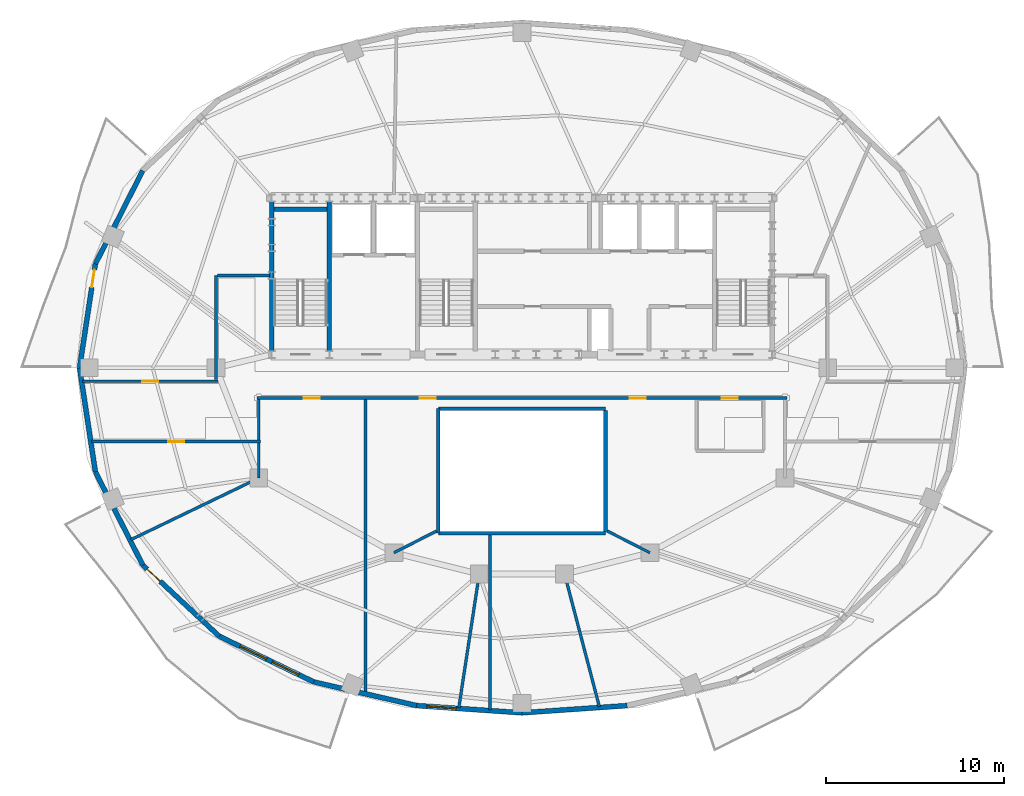
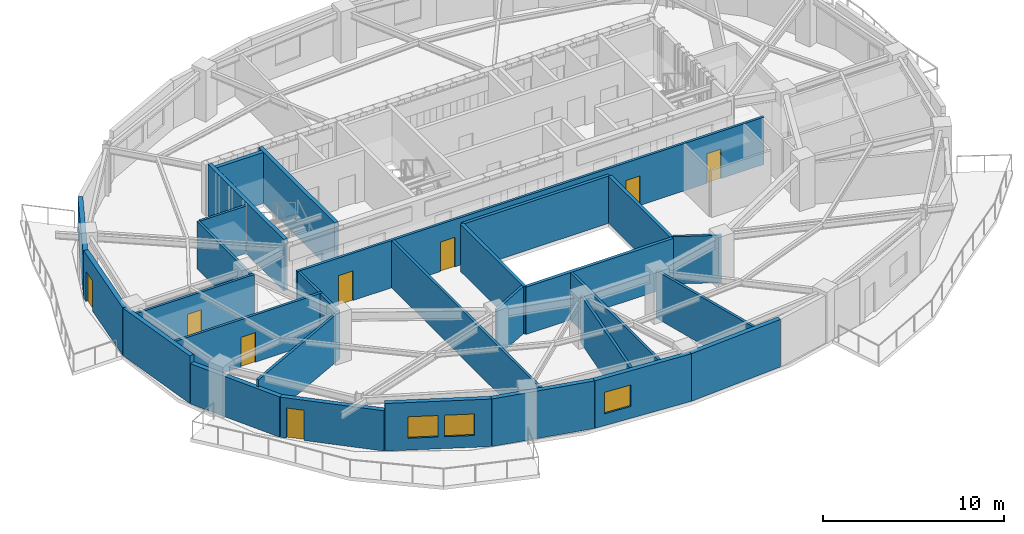
# One storey, part 3 of 9: 30 walls, 8 doors, 3 windows, 11 openings.
"""IFC4 building model written with IfcOpenShell, lengths in metres."""

from ifc_helpers import new_model, si_unit, direction, frame, frame_2d, origin, place, context, subcontext, project, spatial, rectangle, extrude, material, layer, layer_set, type_object, element, fill, save


model = new_model("IFC4")

# Units and contexts
model_context = context("Model", 3, precision=1e-05, world=origin(), true_north=direction((0.0, 1.0)))
body_context = subcontext(model_context, "Body", "Model", "MODEL_VIEW")
ifc_project = project(units=[si_unit("LENGTHUNIT", "METRE"), si_unit("AREAUNIT", "SQUARE_METRE"), si_unit("VOLUMEUNIT", "CUBIC_METRE"), si_unit("PLANEANGLEUNIT", "RADIAN"), si_unit("MASSUNIT", "GRAM", prefix="KILO")], contexts=[model_context])

# Site, building, storey
site_placement = place(None, origin())
site = spatial("IfcSite", under=ifc_project, at=site_placement, CompositionType="ELEMENT")
building_placement = place(site_placement, origin())
building = spatial("IfcBuilding", under=site, at=building_placement, Name="Haldorwick Loom Tower", CompositionType="ELEMENT")
storey_placement = place(building_placement, frame((0.0, 0.0, 252.300048828125)))
storey = spatial("IfcBuildingStorey", under=building, at=storey_placement, Name="L68", CompositionType="ELEMENT", Elevation=252.300048828125)

# Wall
ifc_material_1 = material(Name="Pressed Clay Face Brick and Insulated Masonry Backup Assembly", Category="masonry")
ifc_layer_1 = layer(ifc_material_1, 0.280029296875, Name="Pressed Clay Face Brick and Insulated Masonry Backup Assembly", Category="masonry")
ifc_layer_set_1 = layer_set([ifc_layer_1], Name="Pressed Clay Face Brick and Insulated Masonry Backup Assembly")
wall_type_1 = type_object("IfcWallType", Name="ARC-WL-EXT280", PredefinedType="STANDARD", material=ifc_layer_set_1)
wall_1_placement = place(storey_placement, frame((14.677490234375, 37.08984375, 0.0), z_axis=(0.0, 0.0, 1.0), x_axis=(-0.453100705059, -0.89145933787, 0.0)))
element("IfcWall", 1, at=wall_1_placement, inside=storey, type_object=wall_type_1, Name="L68 Brick Pier and Spandrel Wall 11", PredefinedType="STANDARD", context=body_context, shape_type="SweptSolid", body=[
    extrude(rectangle(XDim=5.879150390625, YDim=0.280029296875, at=frame_2d((2.939453125, 0.0))), origin(), (0.0, 0.0, 1.0), 2.718994140625),
])

# Wall, opening, door
wall_2_placement = place(storey_placement, frame((12.013671875, 31.848876953125, 0.0), z_axis=(0.0, 0.0, 1.0), x_axis=(-0.150497234153, -0.988610430105, 0.0)))
wall_2 = element("IfcWall", 2, at=wall_2_placement, inside=storey, type_object=wall_type_1, Name="L68 Brick Pier and Spandrel Wall 12", PredefinedType="STANDARD", context=body_context, shape_type="SweptSolid", body=[
    extrude(rectangle(XDim=5.916259765625, YDim=0.280029296875, at=frame_2d((2.9580078125, 0.0))), origin(), (0.0, 0.0, 1.0), 3.2099609375),
])
opening_1_placement = place(wall_2_placement, frame((0.340087890625, 0.0, 0.0)))
opening_1 = element("IfcOpeningElement", 3, at=opening_1_placement, cuts=wall_2, Name="Opening D-BL10", PredefinedType="OPENING", context=body_context, shape_type="SweptSolid", body=[
    extrude(rectangle(XDim=1.0, YDim=2.0400390625, at=frame_2d((0.5, 1.02001953125))), frame((0.0, 0.14990234375, 0.0), z_axis=(0.0, -1.0, 0.0), x_axis=(1.0, 0.0, 0.0)), (0.0, 0.0, 1.0), 0.300048828125),
])
ifc_material_2 = material(Name="Thermally Broken Anodized Aluminium Curtain Wall Framing", Category="aluminium")
door_type_1 = type_object("IfcDoorType", Name="ARC-DR-BAL100", OperationType="NOTDEFINED", PredefinedType="DOOR", material=ifc_material_2)
door_1_placement = place(opening_1_placement, origin())
door_1 = element("IfcDoor", 4, at=door_1_placement, inside=storey, type_object=door_type_1, Name="L68 Outdoor Terrace Door SLB-L68-BAL_WNW", OperationType="SINGLE_SWING_RIGHT", OverallHeight=2.0400390625, OverallWidth=1.0, PredefinedType="DOOR", context=body_context, shape_type="SweptSolid", body=[
    extrude(rectangle(XDim=1.0, YDim=2.0400390625, at=frame_2d((0.5, 1.02001953125))), frame((0.0, 0.02490234375, 0.0), z_axis=(0.0, -1.0, 0.0), x_axis=(1.0, 0.0, 0.0)), (0.0, 0.0, 1.0), 0.050048828125),
])
fill(opening_1, door_1)

# Walls
wall_3_placement = place(storey_placement, frame((11.123291015625, 26.0, 0.0), z_axis=(0.0, 0.0, 1.0), x_axis=(0.150497234153, -0.988610430105, 0.0)))
element("IfcWall", 5, at=wall_3_placement, inside=storey, type_object=wall_type_1, Name="L68 Brick Pier and Spandrel Wall 13", PredefinedType="STANDARD", context=body_context, shape_type="SweptSolid", body=[
    extrude(rectangle(XDim=5.916259765625, YDim=0.280029296875, at=frame_2d((2.9580078125, 0.0))), origin(), (0.0, 0.0, 1.0), 3.2099609375),
])
wall_4_placement = place(storey_placement, frame((12.013671875, 20.151123046875, 0.0), z_axis=(0.0, 0.0, 1.0), x_axis=(0.453100705059, -0.89145933787, 0.0)))
element("IfcWall", 6, at=wall_4_placement, inside=storey, type_object=wall_type_1, Name="L68 Brick Pier and Spandrel Wall 14", PredefinedType="STANDARD", context=body_context, shape_type="SweptSolid", body=[
    extrude(rectangle(XDim=5.879150390625, YDim=0.280029296875, at=frame_2d((2.939453125, 0.0))), origin(), (0.0, 0.0, 1.0), 2.718994140625),
])

# Wall, opening, door
wall_5_placement = place(storey_placement, frame((14.677490234375, 14.91015625, 0.0), z_axis=(0.0, 0.0, 1.0), x_axis=(0.731924682982, -0.68138554317, 0.0)))
wall_5 = element("IfcWall", 7, at=wall_5_placement, inside=storey, type_object=wall_type_1, Name="L68 Brick Pier and Spandrel Wall 15", PredefinedType="STANDARD", context=body_context, shape_type="SweptSolid", body=[
    extrude(rectangle(XDim=5.87890625, YDim=0.280029296875, at=frame_2d((2.939453125, 0.0))), origin(), (0.0, 0.0, 1.0), 2.718994140625),
])
opening_2_placement = place(wall_5_placement, frame((0.340087890625, 0.0, 0.0)))
opening_2 = element("IfcOpeningElement", 8, at=opening_2_placement, cuts=wall_5, Name="Opening D-BL10", PredefinedType="OPENING", context=body_context, shape_type="SweptSolid", body=[
    extrude(rectangle(XDim=1.0, YDim=2.0400390625, at=frame_2d((0.5, 1.02001953125))), frame((0.0, 0.14990234375, 0.0), z_axis=(0.0, -1.0, 0.0), x_axis=(1.0, 0.0, 0.0)), (0.0, 0.0, 1.0), 0.300048828125),
])
door_2_placement = place(opening_2_placement, origin())
door_2 = element("IfcDoor", 9, at=door_2_placement, inside=storey, type_object=door_type_1, Name="L68 Outdoor Terrace Door SLB-L68-BAL_SW", OperationType="SINGLE_SWING_LEFT", OverallHeight=2.0400390625, OverallWidth=1.0, PredefinedType="DOOR", context=body_context, shape_type="SweptSolid", body=[
    extrude(rectangle(XDim=1.0, YDim=2.0400390625, at=frame_2d((0.5, 1.02001953125))), frame((0.0, 0.02490234375, 0.0), z_axis=(0.0, -1.0, 0.0), x_axis=(1.0, 0.0, 0.0)), (0.0, 0.0, 1.0), 0.050048828125),
])
fill(opening_2, door_2)

# Wall, openings, windows
wall_6_placement = place(storey_placement, frame((18.98046875, 10.904296875, 0.0), z_axis=(0.0, 0.0, 1.0), x_axis=(0.900481907967, -0.434893473651, 0.0)))
wall_6 = element("IfcWall", 10, at=wall_6_placement, inside=storey, type_object=wall_type_1, Name="L68 Brick Pier and Spandrel Wall 16", PredefinedType="STANDARD", context=body_context, shape_type="SweptSolid", body=[
    extrude(rectangle(XDim=5.90966796875, YDim=0.280029296875, at=frame_2d((2.954833984375, 0.0))), origin(), (0.0, 0.0, 1.0), 3.2099609375),
])
opening_3_placement = place(wall_6_placement, frame((1.29443359375, 0.0, 0.800048828125)))
opening_3 = element("IfcOpeningElement", 11, at=opening_3_placement, cuts=wall_6, Name="Opening W-01B", PredefinedType="OPENING", context=body_context, shape_type="SweptSolid", body=[
    extrude(rectangle(XDim=1.64990234375, YDim=1.449951171875, at=frame_2d((0.824951171875, 0.72509765625))), frame((0.0, 0.14990234375, 0.0), z_axis=(0.0, -1.0, 0.0), x_axis=(1.0, 0.0, 0.0)), (0.0, 0.0, 1.0), 0.300048828125),
])
opening_4_placement = place(wall_6_placement, frame((3.311767578125, 0.0, 0.800048828125)))
opening_4 = element("IfcOpeningElement", 12, at=opening_4_placement, cuts=wall_6, Name="Opening W-01B", PredefinedType="OPENING", context=body_context, shape_type="SweptSolid", body=[
    extrude(rectangle(XDim=1.64990234375, YDim=1.449951171875, at=frame_2d((0.824951171875, 0.72509765625))), frame((0.0, 0.14990234375, 0.0), z_axis=(0.0, -1.0, 0.0), x_axis=(1.0, 0.0, 0.0)), (0.0, 0.0, 1.0), 0.300048828125),
])
ifc_material_3 = material(Name="Triple-Glazed Low-E Argon Insulated Glazing Unit", Category="glass")
window_type = type_object("IfcWindowType", Name="ARC-WIN-W165", PartitioningType="SINGLE_PANEL", PredefinedType="WINDOW", material=ifc_material_3)
window_1_placement = place(opening_3_placement, origin())
window_1 = element("IfcWindow", 13, at=window_1_placement, inside=storey, type_object=window_type, Name="L68 Deep-Set Zone 7A Window 16", OverallHeight=1.449951171875, OverallWidth=1.64990234375, PartitioningType="SINGLE_PANEL", PredefinedType="WINDOW", context=body_context, shape_type="SweptSolid", body=[
    extrude(rectangle(XDim=1.64990234375, YDim=1.449951171875, at=frame_2d((0.824951171875, 0.72509765625))), frame((0.0, 0.030029296875, 0.0), z_axis=(0.0, -1.0, 0.0), x_axis=(1.0, 0.0, 0.0)), (0.0, 0.0, 1.0), 0.06005859375),
])
fill(opening_3, window_1)
window_2_placement = place(opening_4_placement, origin())
window_2 = element("IfcWindow", 14, at=window_2_placement, inside=storey, type_object=window_type, Name="L68 Deep-Set Zone 7A Window 16", OverallHeight=1.449951171875, OverallWidth=1.64990234375, PartitioningType="SINGLE_PANEL", PredefinedType="WINDOW", context=body_context, shape_type="SweptSolid", body=[
    extrude(rectangle(XDim=1.64990234375, YDim=1.449951171875, at=frame_2d((0.824951171875, 0.72509765625))), frame((0.0, 0.030029296875, 0.0), z_axis=(0.0, -1.0, 0.0), x_axis=(1.0, 0.0, 0.0)), (0.0, 0.0, 1.0), 0.06005859375),
])
fill(opening_4, window_2)

# Wall
wall_7_placement = place(storey_placement, frame((24.302001953125, 8.334228515625, 0.0), z_axis=(0.0, 0.0, 1.0), x_axis=(0.974589984037, -0.223996345987, 0.0)))
element("IfcWall", 15, at=wall_7_placement, inside=storey, type_object=wall_type_1, Name="L68 Brick Pier and Spandrel Wall 17", PredefinedType="STANDARD", context=body_context, shape_type="SweptSolid", body=[
    extrude(rectangle(XDim=5.92919921875, YDim=0.280029296875, at=frame_2d((2.964599609375, 0.0))), origin(), (0.0, 0.0, 1.0), 3.2099609375),
])

# Wall, opening, window
wall_8_placement = place(storey_placement, frame((30.08056640625, 7.006103515625, 0.0), z_axis=(0.0, 0.0, 1.0), x_axis=(0.997656066566, -0.068427865986, 0.0)))
wall_8 = element("IfcWall", 16, at=wall_8_placement, inside=storey, type_object=wall_type_1, Name="L68 Brick Pier and Spandrel Wall 18", PredefinedType="STANDARD", context=body_context, shape_type="SweptSolid", body=[
    extrude(rectangle(XDim=5.933349609375, YDim=0.280029296875, at=frame_2d((2.966796875, 0.0))), origin(), (0.0, 0.0, 1.0), 3.2099609375),
])
opening_5_placement = place(wall_8_placement, frame((0.580078125, 0.0, 0.800048828125)))
opening_5 = element("IfcOpeningElement", 17, at=opening_5_placement, cuts=wall_8, Name="Opening W-01B", PredefinedType="OPENING", context=body_context, shape_type="SweptSolid", body=[
    extrude(rectangle(XDim=1.64990234375, YDim=1.449951171875, at=frame_2d((0.824951171875, 0.72509765625))), frame((0.0, 0.14990234375, 0.0), z_axis=(0.0, -1.0, 0.0), x_axis=(1.0, 0.0, 0.0)), (0.0, 0.0, 1.0), 0.300048828125),
])
window_3_placement = place(opening_5_placement, origin())
window_3 = element("IfcWindow", 18, at=window_3_placement, inside=storey, type_object=window_type, Name="L68 Deep-Set Zone 7A Window 18", OverallHeight=1.449951171875, OverallWidth=1.64990234375, PartitioningType="SINGLE_PANEL", PredefinedType="WINDOW", context=body_context, shape_type="SweptSolid", body=[
    extrude(rectangle(XDim=1.64990234375, YDim=1.449951171875, at=frame_2d((0.824951171875, 0.72509765625))), frame((0.0, 0.030029296875, 0.0), z_axis=(0.0, -1.0, 0.0), x_axis=(1.0, 0.0, 0.0)), (0.0, 0.0, 1.0), 0.06005859375),
])
fill(opening_5, window_3)

# Wall
wall_9_placement = place(storey_placement, frame((36.0, 6.60009765625, 0.0), z_axis=(0.0, 0.0, 1.0), x_axis=(0.997656066566, 0.068427865986, 0.0)))
element("IfcWall", 19, at=wall_9_placement, inside=storey, type_object=wall_type_1, Name="L68 Brick Pier and Spandrel Wall 19", PredefinedType="STANDARD", context=body_context, shape_type="SweptSolid", body=[
    extrude(rectangle(XDim=5.933349609375, YDim=0.280029296875, at=frame_2d((2.966796875, 0.0))), origin(), (0.0, 0.0, 1.0), 3.2099609375),
])

# Wall, openings, doors
ifc_material_4 = material(Name="Fire-Rated Type X Gypsum Stud Assembly EI 60")
ifc_layer_2 = layer(ifc_material_4, 0.159912109375, Name="Fire-Rated Type X Gypsum Stud Assembly EI 60")
ifc_layer_set_2 = layer_set([ifc_layer_2], Name="Fire-Rated Type X Gypsum Stud Assembly EI 60")
wall_type_2 = type_object("IfcWallType", Name="ARC-WL-FIRE160", PredefinedType="PARTITIONING", material=ifc_layer_set_2)
wall_10_placement = place(storey_placement, frame((21.10009765625, 24.300048828125, 0.0), z_axis=(0.0, 0.0, 1.0), x_axis=(1.0, 0.0, 0.0)))
wall_10 = element("IfcWall", 20, at=wall_10_placement, inside=storey, type_object=wall_type_2, Name="L68 Residential Fire Partition L68-CR-SP", PredefinedType="PARTITIONING", context=body_context, shape_type="SweptSolid", body=[
    extrude(rectangle(XDim=29.7998046875, YDim=0.159912109375, at=frame_2d((14.89990234375, 0.0))), origin(), (0.0, 0.0, 1.0), 3.195068359375),
])
opening_6_placement = place(wall_10_placement, frame((20.9619140625, 0.0, 0.0)))
opening_6 = element("IfcOpeningElement", 21, at=opening_6_placement, cuts=wall_10, Name="Opening D-FD60A", PredefinedType="OPENING", context=body_context, shape_type="SweptSolid", body=[
    extrude(rectangle(XDim=0.89990234375, YDim=2.0, at=frame_2d((0.449951171875, 1.0))), frame((0.0, 0.08984375, 0.0), z_axis=(0.0, -1.0, 0.0), x_axis=(1.0, 0.0, 0.0)), (0.0, 0.0, 1.0), 0.179931640625),
])
opening_7_placement = place(wall_10_placement, frame((9.152099609375, 0.0, 0.0)))
opening_7 = element("IfcOpeningElement", 22, at=opening_7_placement, cuts=wall_10, Name="Opening D-FD60A", PredefinedType="OPENING", context=body_context, shape_type="SweptSolid", body=[
    extrude(rectangle(XDim=0.89990234375, YDim=2.0, at=frame_2d((0.449951171875, 1.0))), frame((0.0, 0.08984375, 0.0), z_axis=(0.0, -1.0, 0.0), x_axis=(1.0, 0.0, 0.0)), (0.0, 0.0, 1.0), 0.179931640625),
])
opening_8_placement = place(wall_10_placement, frame((2.640380859375, 0.0, 0.0)))
opening_8 = element("IfcOpeningElement", 23, at=opening_8_placement, cuts=wall_10, Name="Opening D-FD60A", PredefinedType="OPENING", context=body_context, shape_type="SweptSolid", body=[
    extrude(rectangle(XDim=0.89990234375, YDim=2.0, at=frame_2d((0.449951171875, 1.0))), frame((0.0, 0.08984375, 0.0), z_axis=(0.0, -1.0, 0.0), x_axis=(1.0, 0.0, 0.0)), (0.0, 0.0, 1.0), 0.179931640625),
])
opening_9_placement = place(wall_10_placement, frame((26.1494140625, 0.0, 0.0)))
opening_9 = element("IfcOpeningElement", 24, at=opening_9_placement, cuts=wall_10, Name="Opening D-FD60A", PredefinedType="OPENING", context=body_context, shape_type="SweptSolid", body=[
    extrude(rectangle(XDim=0.89990234375, YDim=2.0, at=frame_2d((0.449951171875, 1.0))), frame((0.0, 0.08984375, 0.0), z_axis=(0.0, -1.0, 0.0), x_axis=(1.0, 0.0, 0.0)), (0.0, 0.0, 1.0), 0.179931640625),
])
ifc_material_5 = material(Name="Hollow Steel Fire Door Assembly", Category="steel")
door_type_2 = type_object("IfcDoorType", Name="ARC-DR-FD60-90", OperationType="NOTDEFINED", PredefinedType="DOOR", material=ifc_material_5)
door_3_placement = place(opening_6_placement, origin())
door_3 = element("IfcDoor", 25, at=door_3_placement, inside=storey, type_object=door_type_2, Name="L68 L68 Central Residential Corridor to Tenant Seminar Meeting Room 1 Do", OperationType="SINGLE_SWING_RIGHT", OverallHeight=2.0, OverallWidth=0.89990234375, PredefinedType="DOOR", context=body_context, shape_type="SweptSolid", body=[
    extrude(rectangle(XDim=0.89990234375, YDim=2.0, at=frame_2d((0.449951171875, 1.0))), frame((0.0, 0.02490234375, 0.0), z_axis=(0.0, -1.0, 0.0), x_axis=(1.0, 0.0, 0.0)), (0.0, 0.0, 1.0), 0.050048828125),
])
fill(opening_6, door_3)
door_4_placement = place(opening_7_placement, origin())
door_4 = element("IfcDoor", 26, at=door_4_placement, inside=storey, type_object=door_type_2, Name="L68 L68 Central Residential Corridor to Tenant Seminar Meeting Room 1 Do", OperationType="SINGLE_SWING_LEFT", OverallHeight=2.0, OverallWidth=0.89990234375, PredefinedType="DOOR", context=body_context, shape_type="SweptSolid", body=[
    extrude(rectangle(XDim=0.89990234375, YDim=2.0, at=frame_2d((0.449951171875, 1.0))), frame((0.0, 0.02490234375, 0.0), z_axis=(0.0, -1.0, 0.0), x_axis=(1.0, 0.0, 0.0)), (0.0, 0.0, 1.0), 0.050048828125),
])
fill(opening_7, door_4)
door_5_placement = place(opening_8_placement, origin())
door_5 = element("IfcDoor", 27, at=door_5_placement, inside=storey, type_object=door_type_2, Name="L68 L68 Central Residential Corridor to Tenant Seminar Meeting Room 2 Do", OperationType="SINGLE_SWING_RIGHT", OverallHeight=2.0, OverallWidth=0.89990234375, PredefinedType="DOOR", context=body_context, shape_type="SweptSolid", body=[
    extrude(rectangle(XDim=0.89990234375, YDim=2.0, at=frame_2d((0.449951171875, 1.0))), frame((0.0, 0.02490234375, 0.0), z_axis=(0.0, -1.0, 0.0), x_axis=(1.0, 0.0, 0.0)), (0.0, 0.0, 1.0), 0.050048828125),
])
fill(opening_8, door_5)
door_6_placement = place(opening_9_placement, origin())
door_6 = element("IfcDoor", 28, at=door_6_placement, inside=storey, type_object=door_type_2, Name="L68 L68 Central Residential Corridor to Common Accessible WC Door", OperationType="SINGLE_SWING_LEFT", OverallHeight=2.0, OverallWidth=0.89990234375, PredefinedType="DOOR", context=body_context, shape_type="SweptSolid", body=[
    extrude(rectangle(XDim=0.89990234375, YDim=2.0, at=frame_2d((0.449951171875, 1.0))), frame((0.0, 0.02490234375, 0.0), z_axis=(0.0, -1.0, 0.0), x_axis=(1.0, 0.0, 0.0)), (0.0, 0.0, 1.0), 0.050048828125),
])
fill(opening_9, door_6)

# Wall, opening, door
wall_11_placement = place(storey_placement, frame((11.800537109375, 21.85009765625, 0.0), z_axis=(0.0, 0.0, 1.0), x_axis=(1.0, 0.0, 0.0)))
wall_11 = element("IfcWall", 29, at=wall_11_placement, inside=storey, type_object=wall_type_2, Name="L68 Residential Fire Partition L68-CR-SPW", PredefinedType="PARTITIONING", context=body_context, shape_type="SweptSolid", body=[
    extrude(rectangle(XDim=9.49951171875, YDim=0.159912109375, at=frame_2d((4.749755859375, 0.0))), origin(), (0.0, 0.0, 1.0), 3.195068359375),
])
opening_10_placement = place(wall_11_placement, frame((4.2998046875, 0.0, 0.0)))
opening_10 = element("IfcOpeningElement", 30, at=opening_10_placement, cuts=wall_11, Name="Opening D-FD60A", PredefinedType="OPENING", context=body_context, shape_type="SweptSolid", body=[
    extrude(rectangle(XDim=0.89990234375, YDim=2.0, at=frame_2d((0.449951171875, 1.0))), frame((0.0, 0.08984375, 0.0), z_axis=(0.0, -1.0, 0.0), x_axis=(1.0, 0.0, 0.0)), (0.0, 0.0, 1.0), 0.179931640625),
])
door_7_placement = place(opening_10_placement, origin())
door_7 = element("IfcDoor", 31, at=door_7_placement, inside=storey, type_object=door_type_2, Name="L68 L68 Central Residential Corridor to Community Library Room 1 Door", OperationType="SINGLE_SWING_LEFT", OverallHeight=2.0, OverallWidth=0.89990234375, PredefinedType="DOOR", context=body_context, shape_type="SweptSolid", body=[
    extrude(rectangle(XDim=0.89990234375, YDim=2.0, at=frame_2d((0.449951171875, 1.0))), frame((0.0, 0.02490234375, 0.0), z_axis=(0.0, -1.0, 0.0), x_axis=(1.0, 0.0, 0.0)), (0.0, 0.0, 1.0), 0.050048828125),
])
fill(opening_10, door_7)

# Wall
wall_12_placement = place(storey_placement, frame((21.199951171875, 21.93310546875, 0.0), z_axis=(0.0, 0.0, 1.0), x_axis=(0.0, 1.0, 0.0)))
element("IfcWall", 32, at=wall_12_placement, inside=storey, type_object=wall_type_2, Name="L68 Residential Fire Partition L68-CR-STW", PredefinedType="PARTITIONING", context=body_context, shape_type="SweptSolid", body=[
    extrude(rectangle(XDim=2.283935546875, YDim=0.159912109375, at=frame_2d((1.14208984375, 0.0))), origin(), (0.0, 0.0, 1.0), 3.195068359375),
])

# Wall, opening, door
wall_13_placement = place(storey_placement, frame((11.282958984375, 25.25, 0.0), z_axis=(0.0, 0.0, 1.0), x_axis=(1.0, 0.0, 0.0)))
wall_13 = element("IfcWall", 33, at=wall_13_placement, inside=storey, type_object=wall_type_2, Name="L68 Residential Fire Partition L68-CR-NWL", PredefinedType="PARTITIONING", context=body_context, shape_type="SweptSolid", body=[
    extrude(rectangle(XDim=7.616943359375, YDim=0.159912109375, at=frame_2d((3.80859375, 0.0))), origin(), (0.0, 0.0, 1.0), 3.195068359375),
])
opening_11_placement = place(wall_13_placement, frame((3.3583984375, 0.0, 0.0)))
opening_11 = element("IfcOpeningElement", 34, at=opening_11_placement, cuts=wall_13, Name="Opening D-FD60A", PredefinedType="OPENING", context=body_context, shape_type="SweptSolid", body=[
    extrude(rectangle(XDim=0.89990234375, YDim=2.0, at=frame_2d((0.449951171875, 1.0))), frame((0.0, 0.08984375, 0.0), z_axis=(0.0, -1.0, 0.0), x_axis=(1.0, 0.0, 0.0)), (0.0, 0.0, 1.0), 0.179931640625),
])
door_8_placement = place(opening_11_placement, frame((0.89990234375, 0.0, 0.0), z_axis=(0.0, 0.0, 1.0), x_axis=(-1.0, 0.0, 0.0)))
door_8 = element("IfcDoor", 35, at=door_8_placement, inside=storey, type_object=door_type_2, Name="L68 Tenant Seminar Meeting Room 6 to L68 Central Residential Corridor Do", OperationType="SINGLE_SWING_RIGHT", OverallHeight=2.0, OverallWidth=0.89990234375, PredefinedType="DOOR", context=body_context, shape_type="SweptSolid", body=[
    extrude(rectangle(XDim=0.89990234375, YDim=2.0, at=frame_2d((0.449951171875, 1.0))), frame((0.0, 0.02490234375, 0.0), z_axis=(0.0, -1.0, 0.0), x_axis=(1.0, 0.0, 0.0)), (0.0, 0.0, 1.0), 0.050048828125),
])
fill(opening_11, door_8)

# Walls
wall_14_placement = place(storey_placement, frame((18.800048828125, 25.3330078125, 0.0), z_axis=(0.0, 0.0, 1.0), x_axis=(0.0, 1.0, 0.0)))
element("IfcWall", 36, at=wall_14_placement, inside=storey, type_object=wall_type_2, Name="L68 Residential Fire Partition L68-CR-W0", PredefinedType="PARTITIONING", context=body_context, shape_type="SweptSolid", body=[
    extrude(rectangle(XDim=5.866943359375, YDim=0.159912109375, at=frame_2d((2.93359375, 0.0))), origin(), (0.0, 0.0, 1.0), 3.195068359375),
])
wall_15_placement = place(storey_placement, frame((18.883056640625, 31.199951171875, 0.0), z_axis=(0.0, 0.0, 1.0), x_axis=(1.0, 0.0, 0.0)))
element("IfcWall", 37, at=wall_15_placement, inside=storey, type_object=wall_type_2, Name="L68 Residential Fire Partition L68-CR-WNJ", PredefinedType="PARTITIONING", context=body_context, shape_type="SweptSolid", body=[
    extrude(rectangle(XDim=2.923828125, YDim=0.159912109375, at=frame_2d((1.4619140625, 0.0))), origin(), (0.0, 0.0, 1.0), 3.195068359375),
])
wall_16_placement = place(storey_placement, frame((38.39990234375, 14.39990234375, 0.0), z_axis=(0.0, 0.0, 1.0), x_axis=(0.253579572039, -0.96731453036, 0.0)))
element("IfcWall", 38, at=wall_16_placement, inside=storey, type_object=wall_type_2, Name="L68 Residential Fire Partition L68-ICR-05", PredefinedType="PARTITIONING", context=body_context, shape_type="SweptSolid", body=[
    extrude(rectangle(XDim=7.7080078125, YDim=0.159912109375, at=frame_2d((3.85400390625, 0.0))), origin(), (0.0, 0.0, 1.0), 3.195068359375),
])
wall_17_placement = place(storey_placement, frame((33.60009765625, 14.39990234375, 0.0), z_axis=(0.0, 0.0, 1.0), x_axis=(-0.151108252294, -0.988517220937, 0.0)))
element("IfcWall", 39, at=wall_17_placement, inside=storey, type_object=wall_type_2, Name="L68 Residential Fire Partition L68-ICR-07", PredefinedType="PARTITIONING", context=body_context, shape_type="SweptSolid", body=[
    extrude(rectangle(XDim=7.598388671875, YDim=0.159912109375, at=frame_2d((3.79931640625, 0.0))), origin(), (0.0, 0.0, 1.0), 3.195068359375),
])
wall_18_placement = place(storey_placement, frame((21.199951171875, 19.800048828125, 0.0), z_axis=(0.0, 0.0, 1.0), x_axis=(-0.900843191741, -0.43414461173, 0.0)))
element("IfcWall", 40, at=wall_18_placement, inside=storey, type_object=wall_type_2, Name="L68 Residential Fire Partition L68-ICR-10", PredefinedType="PARTITIONING", context=body_context, shape_type="SweptSolid", body=[
    extrude(rectangle(XDim=7.987060546875, YDim=0.159912109375, at=frame_2d((3.99365234375, 0.0))), origin(), (0.0, 0.0, 1.0), 3.195068359375),
])
wall_19_placement = place(storey_placement, frame((27.199951171875, 7.71435546875, 0.0), z_axis=(0.0, 0.0, 1.0), x_axis=(0.0, 1.0, 0.0)))
element("IfcWall", 41, at=wall_19_placement, inside=storey, type_object=wall_type_2, Name="L68 Residential Fire Partition L68-SBP-0", PredefinedType="PARTITIONING", context=body_context, shape_type="SweptSolid", body=[
    extrude(rectangle(XDim=16.502685546875, YDim=0.159912109375, at=frame_2d((8.25146484375, 0.0))), origin(), (0.0, 0.0, 1.0), 3.195068359375),
])
wall_20_placement = place(storey_placement, frame((34.199951171875, 6.7685546875, 0.0), z_axis=(0.0, 0.0, 1.0), x_axis=(0.0, 1.0, 0.0)))
element("IfcWall", 42, at=wall_20_placement, inside=storey, type_object=wall_type_2, Name="L68 Residential Fire Partition L68-SBP-1", PredefinedType="PARTITIONING", context=body_context, shape_type="SweptSolid", body=[
    extrude(rectangle(XDim=9.828369140625, YDim=0.159912109375, at=frame_2d((4.9140625, 0.0))), origin(), (0.0, 0.0, 1.0), 3.195068359375),
])
for number, where, z_axis, x_axis, name in (
    (43, (40.802978515625, 16.822021484375, 0.0), (0.0, 0.0, 1.0), (0.890915506237, -0.454169088278, 0.0), "L68 Residential Fire Partition L68-ICA-03"),
    (44, (31.197021484375, 16.822021484375, 0.0), (0.0, 0.0, 1.0), (-0.890915506237, -0.454169088278, 0.0), "L68 Residential Fire Partition L68-ICA-08"),
):
    element("IfcWall", number, at=place(storey_placement, frame(where, z_axis=z_axis, x_axis=x_axis)), inside=storey, type_object=wall_type_2, Name=name, PredefinedType="PARTITIONING", context=body_context, shape_type="SweptSolid", body=[
        extrude(rectangle(XDim=2.6904296875, YDim=0.159912109375, at=frame_2d((1.34521484375, 0.0))), origin(), (0.0, 0.0, 1.0), 3.195068359375),
    ])
wall_21_placement = place(storey_placement, frame((21.199951171875, 21.76708984375, 0.0), z_axis=(0.0, 0.0, 1.0), x_axis=(0.0, -1.0, 0.0)))
element("IfcWall", 45, at=wall_21_placement, inside=storey, type_object=wall_type_2, Name="L68 Residential Fire Partition L68-ICA-09", PredefinedType="PARTITIONING", context=body_context, shape_type="SweptSolid", body=[
    extrude(rectangle(XDim=1.967041015625, YDim=0.159912109375, at=frame_2d((0.9833984375, 0.0))), origin(), (0.0, 0.0, 1.0), 3.195068359375),
])
ifc_material_6 = material(Name="Fire-Rated Type X Gypsum Stud Assembly EI 120")
ifc_layer_3 = layer(ifc_material_6, 0.199951171875, Name="Fire-Rated Type X Gypsum Stud Assembly EI 120")
ifc_layer_set_3 = layer_set([ifc_layer_3], Name="Fire-Rated Type X Gypsum Stud Assembly EI 120")
wall_type_3 = type_object("IfcWallType", Name="ARC-WL-FIRE200", PredefinedType="PARTITIONING", material=ifc_layer_set_3)
for number, where, z_axis, x_axis, name in (
    (46, (31.300048828125, 23.699951171875, 0.0), (0.0, 0.0, 1.0), (1.0, 0.0, 0.0), "L68 Atrium Fire Enclosure Wall N"),
    (47, (40.699951171875, 16.699951171875, 0.0), (0.0, 0.0, 1.0), (-1.0, 0.0, 0.0), "L68 Atrium Fire Enclosure Wall S"),
):
    element("IfcWall", number, at=place(storey_placement, frame(where, z_axis=z_axis, x_axis=x_axis)), inside=storey, type_object=wall_type_3, Name=name, PredefinedType="PARTITIONING", context=body_context, shape_type="SweptSolid", body=[
        extrude(rectangle(XDim=9.39990234375, YDim=0.199951171875, at=frame_2d((4.699951171875, 0.0))), origin(), (0.0, 0.0, 1.0), 3.195068359375),
    ])
wall_22_placement = place(storey_placement, frame((31.300048828125, 16.699951171875, 0.0), z_axis=(0.0, 0.0, 1.0), x_axis=(0.0, 1.0, 0.0)))
element("IfcWall", 48, at=wall_22_placement, inside=storey, type_object=wall_type_3, Name="L68 Atrium Fire Enclosure Wall W", PredefinedType="PARTITIONING", context=body_context, shape_type="SweptSolid", body=[
    extrude(rectangle(XDim=7.0, YDim=0.199951171875, at=frame_2d((3.5, 0.0))), origin(), (0.0, 0.0, 1.0), 3.195068359375),
])
wall_23_placement = place(storey_placement, frame((40.699951171875, 23.596923828125, 0.0), z_axis=(0.0, 0.0, 1.0), x_axis=(0.0, -1.0, 0.0)))
element("IfcWall", 49, at=wall_23_placement, inside=storey, type_object=wall_type_3, Name="L68 Atrium Fire Enclosure Wall E", PredefinedType="PARTITIONING", context=body_context, shape_type="SweptSolid", body=[
    extrude(rectangle(XDim=6.7939453125, YDim=0.199951171875, at=frame_2d((3.39697265625, 0.0))), origin(), (0.0, 0.0, 1.0), 3.195068359375),
])
ifc_material_7 = material(Name="Concrete C50 (50 MPa)", Category="concrete")
ifc_layer_4 = layer(ifc_material_7, 0.239990234375, Name="Concrete C50 (50 MPa)", Category="concrete")
ifc_layer_set_4 = layer_set([ifc_layer_4], Name="Concrete C50 (50 MPa)")
wall_type_4 = type_object("IfcWallType", Name="STR-WL-SHAFT240", PredefinedType="SHEAR", material=ifc_layer_set_4)
for number, where, z_axis, x_axis, name in (
    (50, (21.929931640625, 35.346923828125, 0.0), (0.0, 0.0, 1.0), (0.0, -1.0, 0.0), "L68 Core Shear Wall W"),
    (51, (25.169921875, 26.952880859375, 0.0), (0.0, 0.0, 1.0), (0.0, 1.0, 0.0), "L68 Core Shear Wall 1"),
):
    element("IfcWall", number, at=place(storey_placement, frame(where, z_axis=z_axis, x_axis=x_axis)), inside=storey, type_object=wall_type_4, Name=name, PredefinedType="SHEAR", context=body_context, shape_type="SweptSolid", body=[
        extrude(rectangle(XDim=8.39404296875, YDim=0.239990234375, at=frame_2d((4.197021484375, 0.0))), origin(), (0.0, 0.0, 1.0), 3.449951171875),
    ])
wall_24_placement = place(storey_placement, frame((22.052978515625, 34.919921875, 0.0), z_axis=(0.0, 0.0, 1.0), x_axis=(1.0, 0.0, 0.0)))
element("IfcWall", 52, at=wall_24_placement, inside=storey, type_object=wall_type_4, Name="L68 Core Shear Wall 1N", PredefinedType="SHEAR", context=body_context, shape_type="SweptSolid", body=[
    extrude(rectangle(XDim=2.994140625, YDim=0.239990234375, at=frame_2d((1.4970703125, 0.0))), origin(), (0.0, 0.0, 1.0), 3.449951171875),
])

save(model, "model.ifc")
